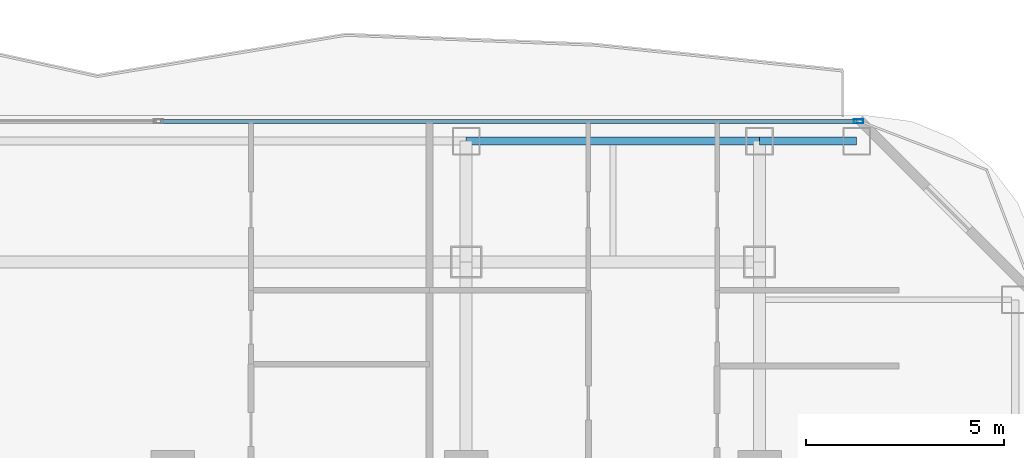
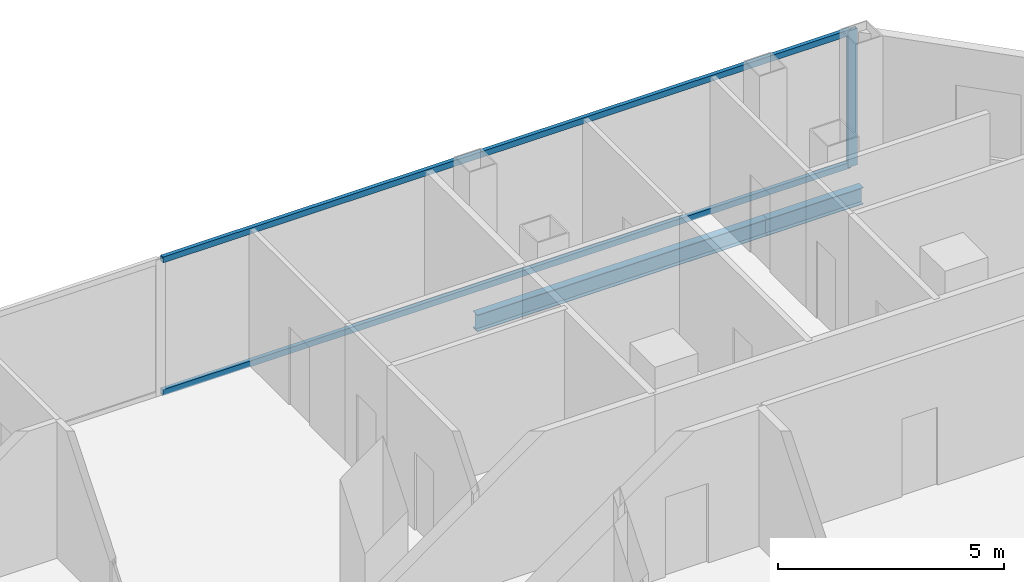
# One storey, part 17 of 27: 3 members, 2 beams, 1 element without a shape of its own.
"""IFC4 building model written with IfcOpenShell, lengths in metres."""

from ifc_helpers import new_model, si_unit, direction, frame, origin, origin_2d, place, context, subcontext, project, spatial, hollow_rectangle, i_section, extrude, material, layer, layer_set, material_profile, profile_set, type_object, element, aggregate, save


model = new_model("IFC4")

# Units and contexts
model_context = context("Model", 3, precision=1e-05, world=origin(), true_north=direction((0.0, 1.0)))
body_context = subcontext(model_context, "Body", "Model", "MODEL_VIEW")
ifc_project = project(units=[si_unit("LENGTHUNIT", "METRE"), si_unit("AREAUNIT", "SQUARE_METRE"), si_unit("VOLUMEUNIT", "CUBIC_METRE"), si_unit("PLANEANGLEUNIT", "RADIAN"), si_unit("MASSUNIT", "GRAM", prefix="KILO")], contexts=[model_context])

# Site, building, storey
site_placement = place(None, origin())
site = spatial("IfcSite", under=ifc_project, at=site_placement, CompositionType="ELEMENT")
building_placement = place(site_placement, origin())
building = spatial("IfcBuilding", under=site, at=building_placement, Name="Khorvyn Point Tower", CompositionType="ELEMENT")
storey_placement = place(building_placement, frame((0.0, 0.0, 179.699951171875)))
storey = spatial("IfcBuildingStorey", under=building, at=storey_placement, Name="L44", CompositionType="ELEMENT", Elevation=179.699951171875)

# Curtain wall, members
ifc_material_1 = material(Name="Anodised aluminium 6063-T6 and laminated Low-E glass", Category="aluminium")
ifc_layer = layer(ifc_material_1, 0.18994140625)
ifc_layer_set = layer_set([ifc_layer], Name="Stick-Built Acoustic Curtain Wall CW-SYS-03")
curtain_wall_type = type_object("IfcCurtainWallType", Name="Stick-Built Acoustic Curtain Wall CW-SYS-03", PredefinedType="NOTDEFINED", material=ifc_layer_set)
curtain_wall_placement = place(storey_placement, origin())
curtain_wall = element("IfcCurtainWall", 1, at=curtain_wall_placement, inside=storey, type_object=curtain_wall_type, Name="Curtain Wall", PredefinedType="NOTDEFINED")
ifc_material_2 = material(Name="Anodised aluminium 6063-T6", Category="aluminium")
ifc_material_profile_1 = material_profile(ifc_material_2, hollow_rectangle(XDim=0.10009765625, YDim=0.239990234375, WallThickness=0.0048828125, at=origin_2d()))
ifc_profile_set_1 = profile_set([ifc_material_profile_1], Name="Anodised aluminium 6063-T6 ALU-MUL-100x240")
member_type_1 = type_object("IfcMemberType", Name="Anodised Aluminium 6063-T6 Mullion ALU-MUL-100x240", PredefinedType="MULLION", material=ifc_profile_set_1)
member_1_placement = place(storey_placement, frame((17.300048828125, 23.64990234375, 0.0), z_axis=(0.0, 0.0, 1.0), x_axis=(0.0, 1.0, 0.0)))
member_1 = element("IfcMember", 2, at=member_1_placement, type_object=member_type_1, Name="Transom", PredefinedType="MULLION", context=body_context, shape_type="SweptSolid", body=[
    extrude(hollow_rectangle(XDim=0.10009765625, YDim=0.239990234375, WallThickness=0.0048828125, at=origin_2d()), origin(), (0.0, 0.0, 1.0), 3.679931640625),
])
ifc_material_profile_2 = material_profile(ifc_material_2, hollow_rectangle(XDim=0.10009765625, YDim=0.159912109375, WallThickness=0.00439453125, at=origin_2d()))
ifc_profile_set_2 = profile_set([ifc_material_profile_2], Name="Anodised aluminium 6063-T6 ALU-TRN-100x160")
member_type_2 = type_object("IfcMemberType", Name="Anodised Aluminium 6063-T6 Transom ALU-TRN-100x160", PredefinedType="USERDEFINED", material=ifc_profile_set_2)
member_2_placement = place(storey_placement, frame((-0.30908203125, 23.64990234375, 0.050048828125), z_axis=(1.0, 0.0, 0.0), x_axis=(0.0, 1.0, 0.0)))
member_2 = element("IfcMember", 3, at=member_2_placement, type_object=member_type_2, Name="Transom", ObjectType="TRANSOM", PredefinedType="USERDEFINED", context=body_context, shape_type="SweptSolid", body=[
    extrude(hollow_rectangle(XDim=0.10009765625, YDim=0.159912109375, WallThickness=0.00439453125, at=origin_2d()), origin(), (0.0, 0.0, 1.0), 17.55908203125),
])
member_3_placement = place(storey_placement, frame((-0.30908203125, 23.64990234375, 3.630126953125), z_axis=(1.0, 0.0, 0.0), x_axis=(0.0, 1.0, 0.0)))
member_3 = element("IfcMember", 4, at=member_3_placement, type_object=member_type_2, Name="Transom", ObjectType="TRANSOM", PredefinedType="USERDEFINED", context=body_context, shape_type="SweptSolid", body=[
    extrude(hollow_rectangle(XDim=0.10009765625, YDim=0.159912109375, WallThickness=0.00439453125, at=origin_2d()), origin(), (0.0, 0.0, 1.0), 17.55908203125),
])
aggregate(curtain_wall, [member_1, member_2, member_3])

# Beams
ifc_material_3 = material(Name="Steel S355", Category="steel")
ifc_material_profile_3 = material_profile(ifc_material_3, i_section(OverallWidth=0.199951171875, OverallDepth=0.449951171875, WebThickness=0.009033203125, FlangeThickness=0.013916015625, at=origin_2d()))
ifc_profile_set_3 = profile_set([ifc_material_profile_3], Name="Steel S355 H450x200x9x14")
beam_type = type_object("IfcBeamType", Name="Steel S355 Spandrel H450x200x9x14", PredefinedType="SPANDREL", material=ifc_profile_set_3)
beam_1_placement = place(storey_placement, frame((7.39990234375, 23.14990234375, -0.445068359375), z_axis=(1.0, 0.0, 0.0), x_axis=(0.0, 1.0, 0.0)))
element("IfcBeam", 5, at=beam_1_placement, inside=storey, type_object=beam_type, Name="Beam", PredefinedType="SPANDREL", context=body_context, shape_type="SweptSolid", body=[
    extrude(i_section(OverallWidth=0.199951171875, OverallDepth=0.449951171875, WebThickness=0.009033203125, FlangeThickness=0.013916015625, at=origin_2d()), origin(), (0.0, 0.0, 1.0), 7.400146484375),
])
beam_2_placement = place(storey_placement, frame((14.800048828125, 23.14990234375, -0.445068359375), z_axis=(1.0, 0.0, 0.0), x_axis=(0.0, 1.0, 0.0)))
element("IfcBeam", 6, at=beam_2_placement, inside=storey, type_object=beam_type, Name="Beam", PredefinedType="SPANDREL", context=body_context, shape_type="SweptSolid", body=[
    extrude(i_section(OverallWidth=0.199951171875, OverallDepth=0.449951171875, WebThickness=0.009033203125, FlangeThickness=0.013916015625, at=origin_2d()), origin(), (0.0, 0.0, 1.0), 2.449951171875),
])

save(model, "model.ifc")
